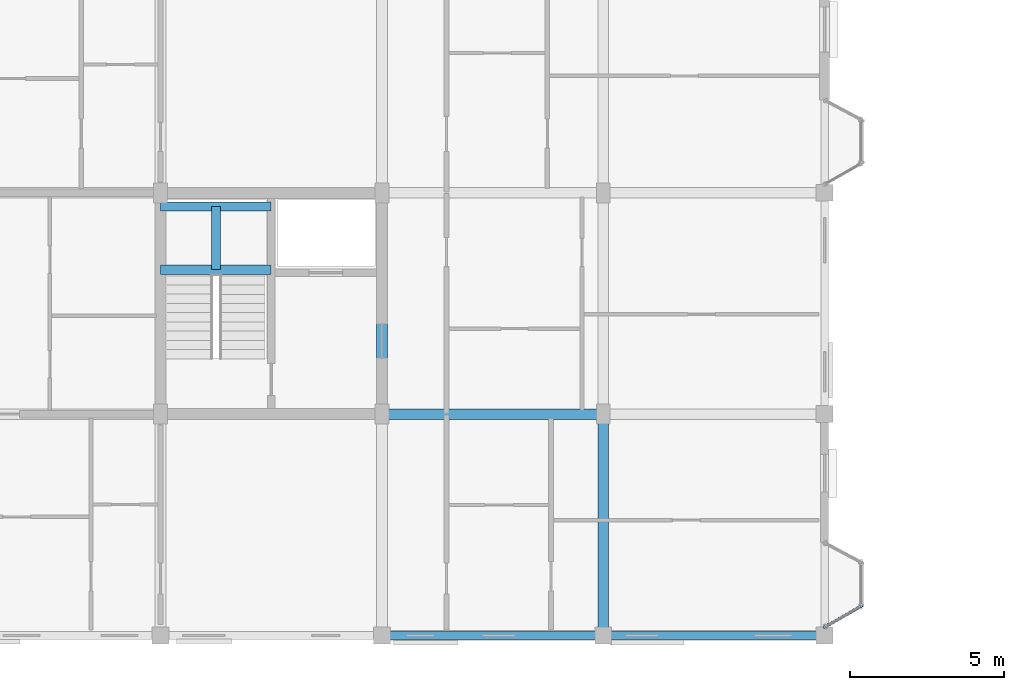
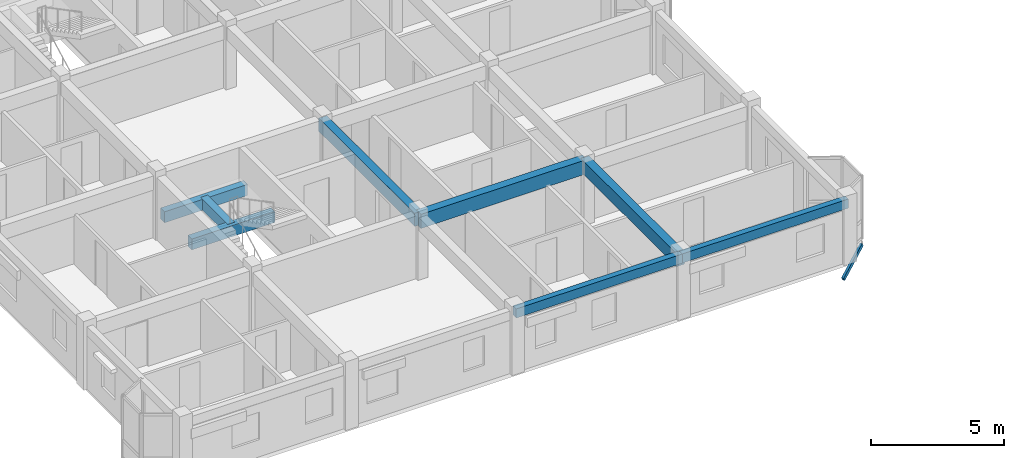
# One storey, part 5 of 77: 8 beams, 1 member.
"""IFC4 building model written with IfcOpenShell, lengths in metres."""

from ifc_helpers import new_model, si_unit, direction, frame, origin, origin_2d, place, context, subcontext, project, spatial, rectangle, hollow_rectangle, extrude, material, material_profile, profile_set, type_object, element, save


model = new_model("IFC4")

# Units and contexts
model_context = context("Model", 3, precision=1e-05, world=origin(), true_north=direction((0.0, 1.0)))
body_context = subcontext(model_context, "Body", "Model", "MODEL_VIEW")
ifc_project = project(units=[si_unit("LENGTHUNIT", "METRE"), si_unit("AREAUNIT", "SQUARE_METRE"), si_unit("VOLUMEUNIT", "CUBIC_METRE"), si_unit("PLANEANGLEUNIT", "RADIAN"), si_unit("MASSUNIT", "GRAM", prefix="KILO"), si_unit("THERMODYNAMICTEMPERATUREUNIT", "KELVIN"), si_unit("POWERUNIT", "WATT")], contexts=[model_context])

# Site, building, storey
site_placement = place(None, origin())
site = spatial("IfcSite", under=ifc_project, at=site_placement, CompositionType="ELEMENT")
building_placement = place(site_placement, origin())
building = spatial("IfcBuilding", under=site, at=building_placement, Name="Tavuni Mirador Residences", CompositionType="ELEMENT")
storey_placement = place(building_placement, frame((0.0, 0.0, 17.10009765625)))
storey = spatial("IfcBuildingStorey", under=building, at=storey_placement, Name="L05", CompositionType="ELEMENT", Elevation=17.10009765625)

# Beams
ifc_material_1 = material(Name="Precast concrete C40/50", Category="concrete")
ifc_material_profile_1 = material_profile(ifc_material_1, rectangle(XDim=0.300048828125, YDim=0.5, at=origin_2d()), Name="PC 300x500", Category="concrete")
ifc_profile_set_1 = profile_set([ifc_material_profile_1], Name="Precast concrete C40/50")
beam_type_1 = type_object("IfcBeamType", Name="BT-B500", PredefinedType="BEAM", material=ifc_profile_set_1)
for number, where, z_axis, x_axis, name in (
    (1, (10.800048828125, 19.10009765625, 1.14501953125), (1.0, 0.0, 0.0), (0.0, 1.0, 0.0), "HLB1-C1-L05"),
    (2, (10.800048828125, 21.14990234375, 1.14501953125), (1.0, 0.0, 0.0), (0.0, 1.0, 0.0), "HLB2-C1-L05"),
):
    element("IfcBeam", number, at=place(storey_placement, frame(where, z_axis=z_axis, x_axis=x_axis)), inside=storey, type_object=beam_type_1, Name=name, PredefinedType="BEAM", context=body_context, shape_type="SweptSolid", body=[
        extrude(rectangle(XDim=0.300048828125, YDim=0.5, at=origin_2d()), origin(), (0.0, 0.0, 1.0), 3.599853515625),
    ])
beam_1_placement = place(storey_placement, frame((12.60009765625, 19.10009765625, 1.14501953125), z_axis=(0.0, 1.0, 0.0), x_axis=(-1.0, 0.0, 0.0)))
element("IfcBeam", 3, at=beam_1_placement, inside=storey, type_object=beam_type_1, Name="HLB3-C1-L05", PredefinedType="BEAM", context=body_context, shape_type="SweptSolid", body=[
    extrude(rectangle(XDim=0.300048828125, YDim=0.5, at=origin_2d()), origin(), (0.0, 0.0, 1.0), 2.0498046875),
])
ifc_material_profile_2 = material_profile(ifc_material_1, rectangle(XDim=0.35009765625, YDim=0.60009765625, at=origin_2d()), Name="PC 350x600", Category="concrete")
ifc_profile_set_2 = profile_set([ifc_material_profile_2], Name="Precast concrete C40/50")
beam_type_2 = type_object("IfcBeamType", Name="BT-B600", PredefinedType="BEAM", material=ifc_profile_set_2)
beam_2_placement = place(storey_placement, frame((18.0, 14.39990234375, 2.56982421875), z_axis=(0.0, 1.0, 0.0), x_axis=(-1.0, 0.0, 0.0)))
element("IfcBeam", 4, at=beam_2_placement, inside=storey, type_object=beam_type_2, Name="BMY-BLK-A-L05-02-01", PredefinedType="BEAM", context=body_context, shape_type="SweptSolid", body=[
    extrude(rectangle(XDim=0.35009765625, YDim=0.60009765625, at=origin_2d()), origin(), (0.0, 0.0, 1.0), 7.2001953125),
])
beam_3_placement = place(storey_placement, frame((25.199951171875, 7.199951171875, 2.56982421875), z_axis=(0.0, 1.0, 0.0), x_axis=(-1.0, 0.0, 0.0)))
element("IfcBeam", 5, at=beam_3_placement, inside=storey, type_object=beam_type_2, Name="BMY-BLK-A-L05-03-00", PredefinedType="BEAM", context=body_context, shape_type="SweptSolid", body=[
    extrude(rectangle(XDim=0.35009765625, YDim=0.60009765625, at=origin_2d()), origin(), (0.0, 0.0, 1.0), 7.199951171875),
])
ifc_material_profile_3 = material_profile(ifc_material_1, rectangle(XDim=0.35009765625, YDim=0.64990234375, at=origin_2d()), Name="PC 350x650", Category="concrete")
ifc_profile_set_3 = profile_set([ifc_material_profile_3], Name="Precast concrete C40/50")
beam_type_3 = type_object("IfcBeamType", Name="BT-B650", PredefinedType="BEAM", material=ifc_profile_set_3)
beam_4_placement = place(storey_placement, frame((18.0, 14.39990234375, 2.544921875), z_axis=(1.0, 0.0, 0.0), x_axis=(0.0, 1.0, 0.0)))
element("IfcBeam", 6, at=beam_4_placement, inside=storey, type_object=beam_type_3, Name="BMX-BLK-A-L05-02-01", PredefinedType="BEAM", context=body_context, shape_type="SweptSolid", body=[
    extrude(rectangle(XDim=0.35009765625, YDim=0.64990234375, at=origin_2d()), origin(), (0.0, 0.0, 1.0), 7.199951171875),
])
ifc_material_profile_4 = material_profile(ifc_material_1, rectangle(XDim=0.25, YDim=0.419921875, at=origin_2d()), Name="PC 250x420", Category="concrete")
ifc_profile_set_4 = profile_set([ifc_material_profile_4], Name="Precast concrete C40/50")
beam_type_4 = type_object("IfcBeamType", Name="BT-SP420", PredefinedType="SPANDREL", material=ifc_profile_set_4)
for number, where, z_axis, x_axis, name in (
    (7, (18.0, 7.199951171875, 2.659912109375), (1.0, 0.0, 0.0), (0.0, 1.0, 0.0), "BMX-BLK-A-L05-02-00"),
    (8, (25.199951171875, 7.199951171875, 2.659912109375), (1.0, 0.0, 0.0), (0.0, 1.0, 0.0), "BMX-BLK-A-L05-03-00"),
):
    element("IfcBeam", number, at=place(storey_placement, frame(where, z_axis=z_axis, x_axis=x_axis)), inside=storey, type_object=beam_type_4, Name=name, PredefinedType="SPANDREL", context=body_context, shape_type="SweptSolid", body=[
        extrude(rectangle(XDim=0.25, YDim=0.419921875, at=origin_2d()), origin(), (0.0, 0.0, 1.0), 7.199951171875),
    ])

# Member
ifc_material_2 = material(Name="Structural steel S355", Category="steel")
ifc_material_profile_5 = material_profile(ifc_material_2, hollow_rectangle(XDim=0.10009765625, YDim=0.179931640625, WallThickness=0.008056640625, at=origin_2d()), Name="RHS 180x100x8.0", Category="steel")
ifc_profile_set_5 = profile_set([ifc_material_profile_5], Name="Structural steel S355")
member_type = type_object("IfcMemberType", Name="MT-BR-RHS180", PredefinedType="BRACE", material=ifc_profile_set_5)
member_placement = place(storey_placement, frame((32.39990234375, 7.47509765625, -1.050048828125), z_axis=(0.758710666466, 0.432909564572, 0.486772465833), x_axis=(-0.495587053321, 0.868558272415, 0.0)))
element("IfcMember", 9, at=member_placement, inside=storey, type_object=member_type, Name="MBRK-MIR-A-E1-L05-1", PredefinedType="BRACE", context=body_context, shape_type="SweptSolid", body=[
    extrude(hollow_rectangle(XDim=0.10009765625, YDim=0.179931640625, WallThickness=0.008056640625, at=origin_2d()), origin(), (0.0, 0.0, 1.0), 1.581787109375),
])

save(model, "model.ifc")
